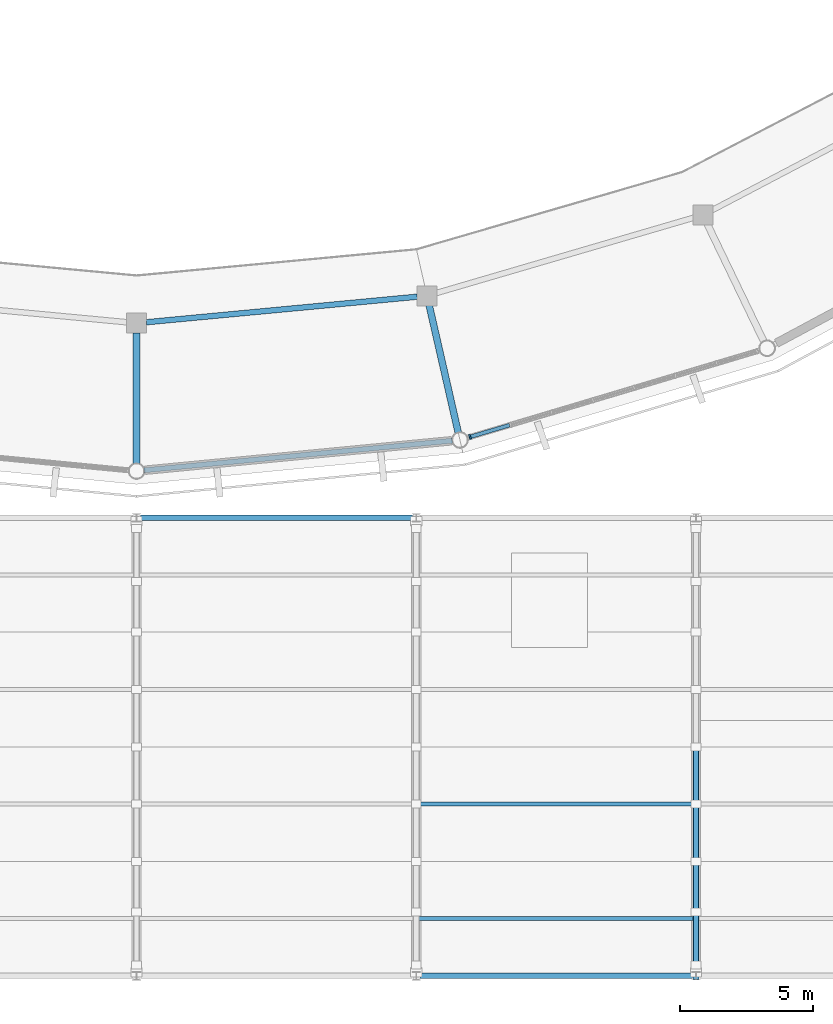
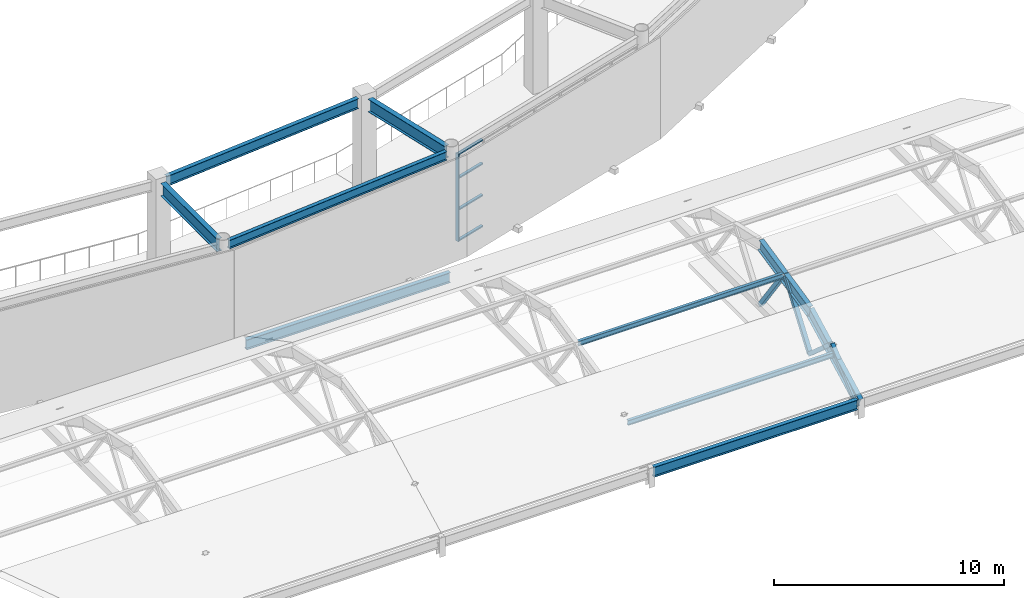
# One storey, part 20 of 70: 11 members, 8 beams, 1 element without a shape of its own.
"""IFC4 building model written with IfcOpenShell, lengths in metres."""

from ifc_helpers import new_model, si_unit, direction, frame, origin, origin_2d, place, context, subcontext, project, spatial, rectangle, hollow_rectangle, i_section, extrude, material, material_profile, profile_set, type_object, element, aggregate, save


model = new_model("IFC4")

# Units and contexts
model_context = context("Model", 3, precision=1e-05, world=origin(), true_north=direction((0.0, 1.0)))
body_context = subcontext(model_context, "Body", "Model", "MODEL_VIEW")
ifc_project = project(units=[si_unit("LENGTHUNIT", "METRE"), si_unit("AREAUNIT", "SQUARE_METRE"), si_unit("VOLUMEUNIT", "CUBIC_METRE"), si_unit("PLANEANGLEUNIT", "RADIAN"), si_unit("MASSUNIT", "GRAM", prefix="KILO")], contexts=[model_context])

# Site, building, storey
site_placement = place(None, origin())
site = spatial("IfcSite", under=ifc_project, at=site_placement, CompositionType="ELEMENT")
building_placement = place(site_placement, origin())
building = spatial("IfcBuilding", under=site, at=building_placement, Name="Cuetzalor Civic Arena", CompositionType="ELEMENT")
storey_placement = place(building_placement, frame((0.0, 0.0, 21.0)))
storey = spatial("IfcBuildingStorey", under=building, at=storey_placement, Name="L04", CompositionType="ELEMENT", Elevation=21.0)

# Curtain wall, members
ifc_material_1 = material(Name="Anodised dark bronze aluminium and low-E solar glass", Category="aluminium")
curtain_wall_type = type_object("IfcCurtainWallType", Name="UnitisedCW_11300x4650", PredefinedType="USERDEFINED", material=ifc_material_1)
curtain_wall_placement = place(storey_placement, origin())
curtain_wall = element("IfcCurtainWall", 1, at=curtain_wall_placement, inside=storey, type_object=curtain_wall_type, Name="Drum Triangle Foyer Curtain Wall L04-066", ObjectType="UNITISED CURTAIN WALL", PredefinedType="USERDEFINED")
ifc_material_2 = material(Name="Anodised dark bronze aluminium", Category="aluminium")
ifc_material_profile_1 = material_profile(ifc_material_2, rectangle(XDim=0.070068359375, YDim=0.179931640625, at=origin_2d()), Name="ALU MULLION 70x180")
ifc_profile_set_1 = profile_set([ifc_material_profile_1], Name="Anodised dark bronze aluminium")
member_type_1 = type_object("IfcMemberType", Name="CurtainWallMullion_65x180", PredefinedType="MULLION", material=ifc_profile_set_1)
member_1_placement = place(storey_placement, frame((12.5185546875, -45.26953125, 0.0), z_axis=(0.0, 0.0, 1.0), x_axis=(-0.958193690548, -0.286120344251, 0.0)))
member_1 = element("IfcMember", 2, at=member_1_placement, type_object=member_type_1, Name="CW-09 mullion 8", PredefinedType="MULLION", context=body_context, shape_type="SweptSolid", body=[
    extrude(rectangle(XDim=0.070068359375, YDim=0.179931640625, at=origin_2d()), origin(), (0.0, 0.0, 1.0), 4.653076171875),
])
ifc_material_3 = material(Name="Anodised dark bronze aluminium", Category="aluminium")
ifc_material_profile_2 = material_profile(ifc_material_3, rectangle(XDim=0.139892578125, YDim=0.070068359375, at=origin_2d()), Name="ALU TRANSOM 70x140")
ifc_profile_set_2 = profile_set([ifc_material_profile_2], Name="Anodised dark bronze aluminium")
member_type_2 = type_object("IfcMemberType", Name="CurtainWallTransom_65x140", PredefinedType="USERDEFINED", material=ifc_profile_set_2)
member_2_placement = place(storey_placement, frame((13.99951171875, -44.8271484375, 0.034912109375), z_axis=(-0.958168093169, -0.286206053804, 0.0), x_axis=(0.286206053804, -0.958168093169, 0.0)))
member_2 = element("IfcMember", 3, at=member_2_placement, type_object=member_type_2, Name="CW-09 transom 7.1", ObjectType="TRANSOM", PredefinedType="USERDEFINED", context=body_context, shape_type="SweptSolid", body=[
    extrude(rectangle(XDim=0.139892578125, YDim=0.070068359375, at=origin_2d()), origin(), (0.0, 0.0, 1.0), 1.5107421875),
])
member_3_placement = place(storey_placement, frame((13.99951171875, -44.8271484375, 1.675048828125), z_axis=(-0.958168093169, -0.286206053804, 0.0), x_axis=(0.286206053804, -0.958168093169, 0.0)))
member_3 = element("IfcMember", 4, at=member_3_placement, type_object=member_type_2, Name="CW-09 transom 7.2", ObjectType="TRANSOM", PredefinedType="USERDEFINED", context=body_context, shape_type="SweptSolid", body=[
    extrude(rectangle(XDim=0.139892578125, YDim=0.070068359375, at=origin_2d()), origin(), (0.0, 0.0, 1.0), 1.5107421875),
])
member_4_placement = place(storey_placement, frame((13.99951171875, -44.8271484375, 3.35009765625), z_axis=(-0.958168093169, -0.286206053804, 0.0), x_axis=(0.286206053804, -0.958168093169, 0.0)))
member_4 = element("IfcMember", 5, at=member_4_placement, type_object=member_type_2, Name="CW-09 transom 7.3", ObjectType="TRANSOM", PredefinedType="USERDEFINED", context=body_context, shape_type="SweptSolid", body=[
    extrude(rectangle(XDim=0.139892578125, YDim=0.070068359375, at=origin_2d()), origin(), (0.0, 0.0, 1.0), 1.5107421875),
])
member_5_placement = place(storey_placement, frame((13.99951171875, -44.8271484375, 4.617919921875), z_axis=(-0.958168093169, -0.286206053804, 0.0), x_axis=(0.286206053804, -0.958168093169, 0.0)))
member_5 = element("IfcMember", 6, at=member_5_placement, type_object=member_type_2, Name="CW-09 transom 7.4", ObjectType="TRANSOM", PredefinedType="USERDEFINED", context=body_context, shape_type="SweptSolid", body=[
    extrude(rectangle(XDim=0.139892578125, YDim=0.070068359375, at=origin_2d()), origin(), (0.0, 0.0, 1.0), 1.5107421875),
])
aggregate(curtain_wall, [member_1, member_2, member_3, member_4, member_5])

# Beam
ifc_material_4 = material(Name="Steel S355", Category="steel")
ifc_material_profile_3 = material_profile(ifc_material_4, i_section(OverallWidth=0.18994140625, OverallDepth=0.45703125, WebThickness=0.009033203125, FlangeThickness=0.014404296875, at=origin_2d()), Name="W460x74")
ifc_profile_set_3 = profile_set([ifc_material_profile_3], Name="Steel S355")
beam_type_1 = type_object("IfcBeamType", Name="FacadeSpandrelBeam_W460", PredefinedType="SPANDREL", material=ifc_profile_set_3)
beam_1_placement = place(storey_placement, frame((0.288818359375, -46.522216796875, 4.8916015625), z_axis=(0.995409568272, 0.095706799095, 0.0), x_axis=(-0.095706799095, 0.995409568272, 0.0)))
element("IfcBeam", 7, at=beam_1_placement, inside=storey, type_object=beam_type_1, Name="Drum Perimeter Spandrel L04-S22", PredefinedType="SPANDREL", context=body_context, shape_type="SweptSolid", body=[
    extrude(i_section(OverallWidth=0.18994140625, OverallDepth=0.45703125, WebThickness=0.009033203125, FlangeThickness=0.014404296875, at=origin_2d()), origin(), (0.0, 0.0, 1.0), 11.6142578125),
])

# Members
ifc_material_5 = material(Name="Steel S355", Category="steel")
ifc_material_profile_4 = material_profile(ifc_material_5, hollow_rectangle(XDim=0.199951171875, YDim=0.199951171875, WallThickness=0.010009765625, at=origin_2d()), Name="RHS 200x200x10")
ifc_profile_set_4 = profile_set([ifc_material_profile_4], Name="Steel S355")
member_type_3 = type_object("IfcMemberType", Name="PrattTrussWeb_RHS200", PredefinedType="STRUT", material=ifc_profile_set_4)
member_6_placement = place(storey_placement, frame((21.0, -65.10009765625, 0.714111328125), z_axis=(0.0, 0.766684820047, 0.642023665225), x_axis=(-1.0, 0.0, 0.0)))
element("IfcMember", 8, at=member_6_placement, inside=storey, type_object=member_type_3, Name="Foyer Tied-Arch Truss Web 06-1", PredefinedType="STRUT", context=body_context, shape_type="SweptSolid", body=[
    extrude(hollow_rectangle(XDim=0.199951171875, YDim=0.199951171875, WallThickness=0.010009765625, at=origin_2d()), origin(), (0.0, 0.0, 1.0), 2.608642578125),
])
member_7_placement = place(storey_placement, frame((21.0, -63.10009765625, 2.388916015625), z_axis=(0.0, 0.75018936013, -0.661223051586), x_axis=(-1.0, 0.0, 0.0)))
element("IfcMember", 9, at=member_7_placement, inside=storey, type_object=member_type_3, Name="Foyer Tied-Arch Truss Web 06-2", PredefinedType="STRUT", context=body_context, shape_type="SweptSolid", body=[
    extrude(hollow_rectangle(XDim=0.199951171875, YDim=0.199951171875, WallThickness=0.010009765625, at=origin_2d()), origin(), (0.0, 0.0, 1.0), 2.532958984375),
])
member_8_placement = place(storey_placement, frame((21.0, -61.199951171875, 0.714111328125), z_axis=(0.0, 0.585740669637, 0.810498530494), x_axis=(-1.0, 0.0, 0.0)))
element("IfcMember", 10, at=member_8_placement, inside=storey, type_object=member_type_3, Name="Foyer Tied-Arch Truss Web 06-3", PredefinedType="STRUT", context=body_context, shape_type="SweptSolid", body=[
    extrude(hollow_rectangle(XDim=0.199951171875, YDim=0.199951171875, WallThickness=0.010009765625, at=origin_2d()), origin(), (0.0, 0.0, 1.0), 3.67041015625),
])
member_9_placement = place(storey_placement, frame((21.0, -59.050048828125, 3.68896484375), z_axis=(0.0, 0.585784362025, -0.810466952569), x_axis=(-1.0, 0.0, 0.0)))
element("IfcMember", 11, at=member_9_placement, inside=storey, type_object=member_type_3, Name="Foyer Tied-Arch Truss Web 06-4", PredefinedType="STRUT", context=body_context, shape_type="SweptSolid", body=[
    extrude(hollow_rectangle(XDim=0.199951171875, YDim=0.199951171875, WallThickness=0.010009765625, at=origin_2d()), origin(), (0.0, 0.0, 1.0), 3.670654296875),
])
ifc_material_6 = material(Name="Steel S355", Category="steel")
ifc_material_profile_5 = material_profile(ifc_material_6, i_section(OverallWidth=0.14697265625, OverallDepth=0.261962890625, WebThickness=0.00634765625, FlangeThickness=0.01123046875, at=origin_2d()), Name="W250x39")
ifc_profile_set_5 = profile_set([ifc_material_profile_5], Name="Steel S355")
member_type_4 = type_object("IfcMemberType", Name="RoofDeckPurlin_W250", PredefinedType="PURLIN", material=ifc_profile_set_5)
for number, where, z_axis, x_axis, name in (
    (12, (10.60009765625, -63.35009765625, 2.013916015625), (1.0, 0.0, 0.0), (0.0, 1.0, 0.0), "Foyer Vault Roof Purlin 1-5"),
    (13, (10.60009765625, -59.050048828125, 3.614013671875), (1.0, 0.0, 0.0), (0.0, 1.0, 0.0), "Foyer Vault Roof Purlin 2-5"),
):
    element("IfcMember", number, at=place(storey_placement, frame(where, z_axis=z_axis, x_axis=x_axis)), inside=storey, type_object=member_type_4, Name=name, PredefinedType="PURLIN", context=body_context, shape_type="SweptSolid", body=[
        extrude(i_section(OverallWidth=0.14697265625, OverallDepth=0.261962890625, WebThickness=0.00634765625, FlangeThickness=0.01123046875, at=origin_2d()), origin(), (0.0, 0.0, 1.0), 10.2998046875),
    ])

# Beams
ifc_material_7 = material(Name="Steel S355", Category="steel")
ifc_material_profile_6 = material_profile(ifc_material_7, i_section(OverallWidth=0.208984375, OverallDepth=0.532958984375, WebThickness=0.01025390625, FlangeThickness=0.015625, at=origin_2d()), Name="W530x92")
ifc_profile_set_6 = profile_set([ifc_material_profile_6], Name="Steel S355")
beam_type_2 = type_object("IfcBeamType", Name="SteelCollarGirder_W530", PredefinedType="BEAM", material=ifc_profile_set_6)
beam_2_placement = place(storey_placement, frame((0.368408203125, -40.96533203125, 4.853515625), z_axis=(0.995583045118, 0.093885037538, 0.0), x_axis=(-0.093885037538, 0.995583045118, 0.0)))
element("IfcBeam", 14, at=beam_2_placement, inside=storey, type_object=beam_type_2, Name="Drum Concourse Ring Girder L04-S22", PredefinedType="BEAM", context=body_context, shape_type="SweptSolid", body=[
    extrude(i_section(OverallWidth=0.208984375, OverallDepth=0.532958984375, WebThickness=0.01025390625, FlangeThickness=0.015625, at=origin_2d()), origin(), (0.0, 0.0, 1.0), 10.2119140625),
])
for number, where, z_axis, x_axis, name in (
    (15, (0.139892578125, -48.300048828125, 0.714111328125), (1.0, 0.0, 0.0), (0.0, 1.0, 0.0), "Foyer Vault Eaves Ring Beam N-04"),
    (16, (10.639892578125, -65.5, 0.714111328125), (1.0, 0.0, 0.0), (0.0, 1.0, 0.0), "Foyer Vault Eaves Ring Beam S-05"),
):
    element("IfcBeam", number, at=place(storey_placement, frame(where, z_axis=z_axis, x_axis=x_axis)), inside=storey, type_object=beam_type_2, Name=name, PredefinedType="BEAM", context=body_context, shape_type="SweptSolid", body=[
        extrude(i_section(OverallWidth=0.208984375, OverallDepth=0.532958984375, WebThickness=0.01025390625, FlangeThickness=0.015625, at=origin_2d()), origin(), (0.0, 0.0, 1.0), 10.22021484375),
    ])
ifc_material_8 = material(Name="Steel S355", Category="steel")
ifc_material_profile_7 = material_profile(ifc_material_8, i_section(OverallWidth=0.2529296875, OverallDepth=0.677978515625, WebThickness=0.01171875, FlangeThickness=0.016357421875, at=origin_2d()), Name="W690x125")
ifc_profile_set_7 = profile_set([ifc_material_profile_7], Name="Steel S355")
beam_type_3 = type_object("IfcBeamType", Name="SteelPrimaryGirder_W690", PredefinedType="BEAM", material=ifc_profile_set_7)
for number, where, z_axis, x_axis, name in (
    (17, (0.0, -41.360107421875, 4.781005859375), (0.0, -1.0, 0.0), (1.0, 0.0, 0.0), "Drum Radial Girder L04-R22"),
    (18, (10.983642578125, -40.322998046875, 4.781005859375), (0.222519036633, -0.974928345231, 0.0), (0.974928345231, 0.222519036633, 0.0), "Drum Radial Girder L04-R23"),
):
    element("IfcBeam", number, at=place(storey_placement, frame(where, z_axis=z_axis, x_axis=x_axis)), inside=storey, type_object=beam_type_3, Name=name, PredefinedType="BEAM", context=body_context, shape_type="SweptSolid", body=[
        extrude(i_section(OverallWidth=0.2529296875, OverallDepth=0.677978515625, WebThickness=0.01171875, FlangeThickness=0.016357421875, at=origin_2d()), origin(), (0.0, 0.0, 1.0), 4.89990234375),
    ])
ifc_material_9 = material(Name="Steel S355", Category="steel")
ifc_material_profile_8 = material_profile(ifc_material_9, i_section(OverallWidth=0.22802734375, OverallDepth=0.60791015625, WebThickness=0.01123046875, FlangeThickness=0.017333984375, at=origin_2d()), Name="W610x113")
ifc_profile_set_8 = profile_set([ifc_material_profile_8], Name="Steel S355")
beam_type_4 = type_object("IfcBeamType", Name="VaultArchRibBeam_W610", PredefinedType="USERDEFINED", material=ifc_profile_set_8)
beam_3_placement = place(storey_placement, frame((21.0, -65.5, 0.714111328125), z_axis=(0.0, 0.88603526869, 0.463617841154), x_axis=(-1.0, 0.0, 0.0)))
element("IfcBeam", 19, at=beam_3_placement, inside=storey, type_object=beam_type_4, Name="Foyer Barrel Vault Arch Rib 06-1", ObjectType="VAULT RIB", PredefinedType="USERDEFINED", context=body_context, shape_type="SweptSolid", body=[
    extrude(i_section(OverallWidth=0.22802734375, OverallDepth=0.60791015625, WebThickness=0.01123046875, FlangeThickness=0.017333984375, at=origin_2d()), origin(), (0.0, 0.0, 1.0), 4.85302734375),
])
beam_4_placement = place(storey_placement, frame((21.0, -61.199951171875, 2.964111328125), z_axis=(0.0, 0.976456327027, 0.215715185855), x_axis=(-1.0, 0.0, 0.0)))
element("IfcBeam", 20, at=beam_4_placement, inside=storey, type_object=beam_type_4, Name="Foyer Barrel Vault Arch Rib 06-2", ObjectType="VAULT RIB", PredefinedType="USERDEFINED", context=body_context, shape_type="SweptSolid", body=[
    extrude(i_section(OverallWidth=0.22802734375, OverallDepth=0.60791015625, WebThickness=0.01123046875, FlangeThickness=0.017333984375, at=origin_2d()), origin(), (0.0, 0.0, 1.0), 4.40380859375),
])

save(model, "model.ifc")
